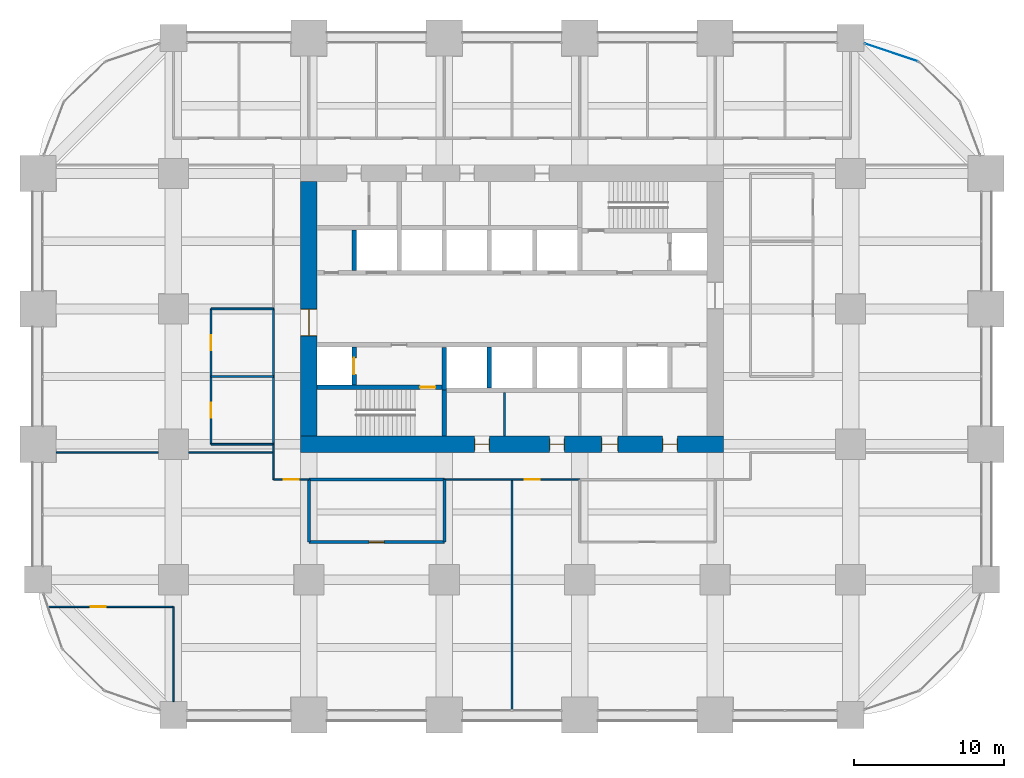
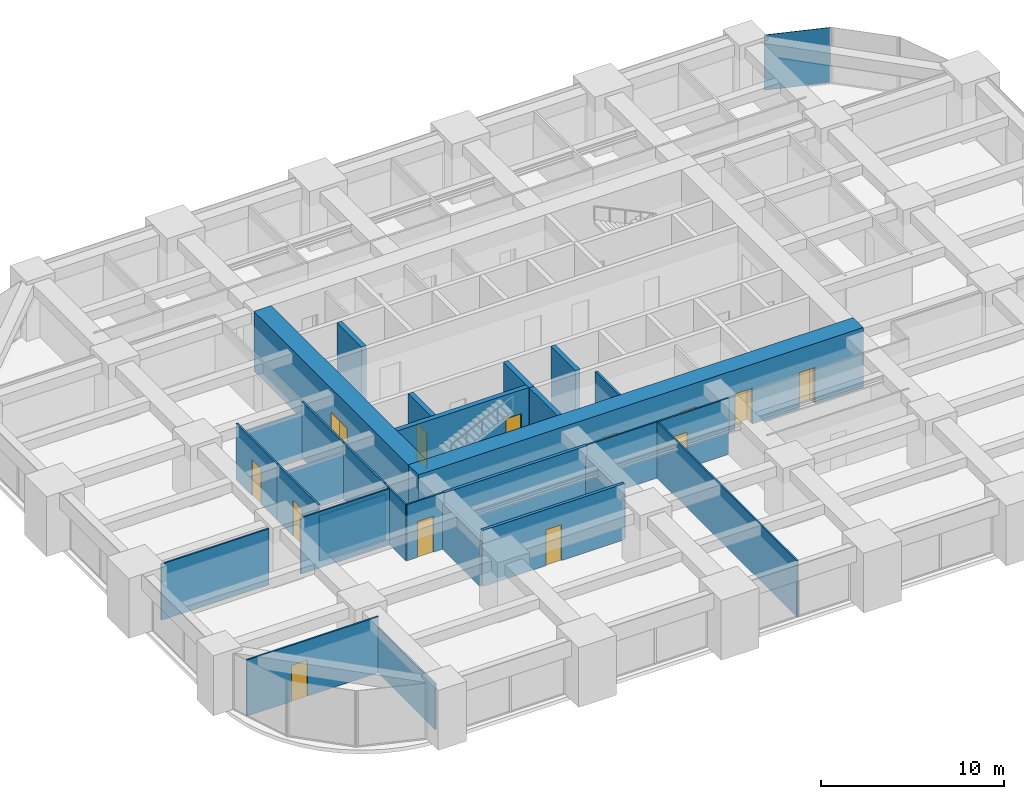
# One storey, part 36 of 40: 28 walls, 13 doors, 1 plate, 13 openings, 1 element without a shape of its own.
"""IFC4 building model written with IfcOpenShell, lengths in metres."""

from ifc_helpers import new_model, si_unit, direction, frame, frame_2d, origin, origin_2d, place, context, subcontext, project, spatial, rectangle, extrude, material, layer, layer_set, type_object, element, fill, aggregate, save


model = new_model("IFC4")

# Units and contexts
model_context = context("Model", 3, precision=1e-05, world=origin(), true_north=direction((0.0, 1.0)))
body_context = subcontext(model_context, "Body", "Model", "MODEL_VIEW")
ifc_project = project(units=[si_unit("LENGTHUNIT", "METRE"), si_unit("AREAUNIT", "SQUARE_METRE"), si_unit("VOLUMEUNIT", "CUBIC_METRE"), si_unit("PLANEANGLEUNIT", "RADIAN"), si_unit("MASSUNIT", "GRAM", prefix="KILO")], contexts=[model_context])

# Site, building, storey
site_placement = place(None, origin())
site = spatial("IfcSite", under=ifc_project, at=site_placement, CompositionType="ELEMENT")
building_placement = place(site_placement, origin())
building = spatial("IfcBuilding", under=site, at=building_placement, Name="Zorevar Civic Tower", CompositionType="ELEMENT")
storey_placement = place(building_placement, frame((0.0, 0.0, 93.0)))
storey = spatial("IfcBuildingStorey", under=building, at=storey_placement, Name="L22", CompositionType="ELEMENT", Elevation=93.0)

# Curtain wall, plate
ifc_material_1 = material(Name="Dark grey solar-control glass in black aluminium frame", Category="aluminium")
curtain_wall_type = type_object("IfcCurtainWallType", Name="Curtain wall CW3 mid zone", PredefinedType="NOTDEFINED", material=ifc_material_1)
curtain_wall_placement = place(storey_placement, origin())
curtain_wall = element("IfcCurtainWall", 1, at=curtain_wall_placement, inside=storey, type_object=curtain_wall_type, Name="CW3 L22", PredefinedType="NOTDEFINED")
ifc_material_2 = material(Name="Dark grey solar-control glass", Category="glass")
ifc_layer_1 = layer(ifc_material_2, 0.030029296875)
ifc_layer_set_1 = layer_set([ifc_layer_1], Name="CW3 panel 30")
plate_type = type_object("IfcPlateType", Name="CW3 panel 30", PredefinedType="CURTAIN_PANEL", material=ifc_layer_set_1)
plate_placement = place(storey_placement, frame((56.7109375, 44.04296875, 0.06005859375), z_axis=(0.0, 0.0, 1.0), x_axis=(-0.947615765406, 0.319412525043, 0.0)))
plate = element("IfcPlate", 2, at=plate_placement, type_object=plate_type, Name="CW3 panel 1.1", PredefinedType="CURTAIN_PANEL", context=body_context, shape_type="SweptSolid", body=[
    extrude(rectangle(XDim=3.7021484375, YDim=0.030029296875, at=origin_2d()), origin(), (0.0, 0.0, 1.0), 3.68994140625),
])
aggregate(curtain_wall, [plate])

# Wall, opening, door
ifc_material_3 = material(Name="Concrete blockwork", Category="masonry")
ifc_layer_2 = layer(ifc_material_3, 0.199951171875)
ifc_layer_set_2 = layer_set([ifc_layer_2], Name="Blockwork wall 200")
wall_type_1 = type_object("IfcWallType", Name="Blockwork wall 200", PredefinedType="SOLIDWALL", material=ifc_layer_set_2)
wall_1_placement = place(storey_placement, frame((18.0, 11.5, 0.0), z_axis=(0.0, 0.0, 1.0), x_axis=(1.0, 0.0, 0.0)))
wall_1 = element("IfcWall", 3, at=wall_1_placement, inside=storey, type_object=wall_type_1, Name="Blockwork wall 200 L22", PredefinedType="SOLIDWALL", context=body_context, shape_type="SweptSolid", body=[
    extrude(rectangle(XDim=9.0, YDim=0.199951171875, at=frame_2d((4.5, 0.0))), origin(), (0.0, 0.0, 1.0), 3.75),
])
opening_1_placement = place(wall_1_placement, frame((4.0, 0.0, 0.0)))
opening_1 = element("IfcOpeningElement", 4, at=opening_1_placement, cuts=wall_1, Name="Opening L22.18", PredefinedType="OPENING", context=body_context, shape_type="SweptSolid", body=[
    extrude(rectangle(XDim=1.0, YDim=2.39990234375, at=frame_2d((0.5, 1.199951171875))), frame((0.0, 0.10986328125, 0.0), z_axis=(0.0, -1.0, 0.0), x_axis=(1.0, 0.0, 0.0)), (0.0, 0.0, 1.0), 0.219970703125),
])
ifc_material_4 = material(Name="Steel door set", Category="steel")
door_type_1 = type_object("IfcDoorType", Name="Security door SD1 1000x2400", OperationType="SINGLE_SWING_LEFT", PredefinedType="DOOR", material=ifc_material_4)
door_1_placement = place(opening_1_placement, origin())
door_1 = element("IfcDoor", 5, at=door_1_placement, inside=storey, type_object=door_type_1, Name="Door L22 D1", OperationType="SINGLE_SWING_RIGHT", OverallHeight=2.39990234375, OverallWidth=1.0, PredefinedType="DOOR", context=body_context, shape_type="SweptSolid", body=[
    extrude(rectangle(XDim=1.0, YDim=2.39990234375, at=frame_2d((0.5, 1.199951171875))), frame((0.0, 0.03515625, 0.0), z_axis=(0.0, -1.0, 0.0), x_axis=(1.0, 0.0, 0.0)), (0.0, 0.0, 1.0), 0.070068359375),
])
fill(opening_1, door_1)

# Walls
wall_2_placement = place(storey_placement, frame((18.0, 15.64990234375, 0.0), z_axis=(0.0, 0.0, 1.0), x_axis=(1.0, 0.0, 0.0)))
element("IfcWall", 6, at=wall_2_placement, inside=storey, type_object=wall_type_1, Name="Blockwork wall 200 L22", PredefinedType="SOLIDWALL", context=body_context, shape_type="SweptSolid", body=[
    extrude(rectangle(XDim=9.0, YDim=0.199951171875, at=frame_2d((4.5, 0.0))), origin(), (0.0, 0.0, 1.0), 3.75),
])
for number, where, z_axis, x_axis, name in (
    (7, (18.0, 11.5, 0.0), (0.0, 0.0, 1.0), (0.0, 1.0, 0.0), "Blockwork wall 200 L22"),
    (8, (27.0, 11.5, 0.0), (0.0, 0.0, 1.0), (0.0, 1.0, 0.0), "Blockwork wall 200 L22"),
):
    element("IfcWall", number, at=place(storey_placement, frame(where, z_axis=z_axis, x_axis=x_axis)), inside=storey, type_object=wall_type_1, Name=name, PredefinedType="SOLIDWALL", context=body_context, shape_type="SweptSolid", body=[
        extrude(rectangle(XDim=4.14990234375, YDim=0.199951171875, at=frame_2d((2.074951171875, 0.0))), origin(), (0.0, 0.0, 1.0), 3.050048828125),
    ])

# Wall, openings, doors
ifc_material_5 = material(Name="Concrete C50/60", Category="concrete")
ifc_layer_3 = layer(ifc_material_5, 1.10009765625)
ifc_layer_set_3 = layer_set([ifc_layer_3], Name="Core wall 1100")
wall_type_2 = type_object("IfcWallType", Name="Core wall 1100", PredefinedType="SHEAR", material=ifc_layer_set_3)
wall_3_placement = place(storey_placement, frame((17.449951171875, 18.0, 0.0), z_axis=(0.0, 0.0, 1.0), x_axis=(1.0, 0.0, 0.0)))
wall_3 = element("IfcWall", 9, at=wall_3_placement, inside=storey, type_object=wall_type_2, Name="Core wall S L22", PredefinedType="SHEAR", context=body_context, shape_type="SweptSolid", body=[
    extrude(rectangle(XDim=28.10009765625, YDim=1.10009765625, at=frame_2d((14.050048828125, 0.0))), origin(), (0.0, 0.0, 1.0), 4.0),
])
opening_2_placement = place(wall_3_placement, frame((11.550048828125, 0.0, 0.0)))
opening_2 = element("IfcOpeningElement", 10, at=opening_2_placement, cuts=wall_3, Name="Opening L22.03", PredefinedType="OPENING", context=body_context, shape_type="SweptSolid", body=[
    extrude(rectangle(XDim=1.0, YDim=2.39990234375, at=frame_2d((0.5, 1.199951171875))), frame((0.0, 0.56005859375, 0.0), z_axis=(0.0, -1.0, 0.0), x_axis=(1.0, 0.0, 0.0)), (0.0, 0.0, 1.0), 1.1201171875),
])
opening_3_placement = place(wall_3_placement, frame((16.550048828125, 0.0, 0.0)))
opening_3 = element("IfcOpeningElement", 11, at=opening_3_placement, cuts=wall_3, Name="Opening L22.04", PredefinedType="OPENING", context=body_context, shape_type="SweptSolid", body=[
    extrude(rectangle(XDim=1.0, YDim=2.39990234375, at=frame_2d((0.5, 1.199951171875))), frame((0.0, 0.56005859375, 0.0), z_axis=(0.0, -1.0, 0.0), x_axis=(1.0, 0.0, 0.0)), (0.0, 0.0, 1.0), 1.1201171875),
])
opening_4_placement = place(wall_3_placement, frame((20.0, 0.0, 0.0)))
opening_4 = element("IfcOpeningElement", 12, at=opening_4_placement, cuts=wall_3, Name="Opening L22.05", PredefinedType="OPENING", context=body_context, shape_type="SweptSolid", body=[
    extrude(rectangle(XDim=1.10009765625, YDim=2.39990234375, at=frame_2d((0.550048828125, 1.199951171875))), frame((0.0, 0.56005859375, 0.0), z_axis=(0.0, -1.0, 0.0), x_axis=(1.0, 0.0, 0.0)), (0.0, 0.0, 1.0), 1.1201171875),
])
opening_5_placement = place(wall_3_placement, frame((24.050048828125, 0.0, 0.0)))
opening_5 = element("IfcOpeningElement", 13, at=opening_5_placement, cuts=wall_3, Name="Opening L22.06", PredefinedType="OPENING", context=body_context, shape_type="SweptSolid", body=[
    extrude(rectangle(XDim=1.0, YDim=2.39990234375, at=frame_2d((0.5, 1.199951171875))), frame((0.0, 0.56005859375, 0.0), z_axis=(0.0, -1.0, 0.0), x_axis=(1.0, 0.0, 0.0)), (0.0, 0.0, 1.0), 1.1201171875),
])
ifc_material_6 = material(Name="Timber door set", Category="wood")
door_type_2 = type_object("IfcDoorType", Name="Door D1 1000x2400", OperationType="SINGLE_SWING_LEFT", PredefinedType="DOOR", material=ifc_material_6)
door_2_placement = place(opening_2_placement, origin())
door_2 = element("IfcDoor", 14, at=door_2_placement, inside=storey, type_object=door_type_2, Name="Door L22 02", OperationType="SINGLE_SWING_RIGHT", OverallHeight=2.39990234375, OverallWidth=1.0, PredefinedType="DOOR", context=body_context, shape_type="SweptSolid", body=[
    extrude(rectangle(XDim=1.0, YDim=2.39990234375, at=frame_2d((0.5, 1.199951171875))), frame((0.0, 0.02490234375, 0.0), z_axis=(0.0, -1.0, 0.0), x_axis=(1.0, 0.0, 0.0)), (0.0, 0.0, 1.0), 0.050048828125),
    extrude(rectangle(XDim=0.04, YDim=2.39990234375, at=frame_2d((0.02001953125, 1.199951171875))), frame((0.0, 0.39990234375, 0.0), z_axis=(0.0, -1.0, 0.0), x_axis=(1.0, 0.0, 0.0)), (0.0, 0.0, 1.0), 0.800048828125),
    extrude(rectangle(XDim=0.04, YDim=2.39990234375, at=frame_2d((0.97998046875, 1.199951171875))), frame((0.0, 0.39990234375, 0.0), z_axis=(0.0, -1.0, 0.0), x_axis=(1.0, 0.0, 0.0)), (0.0, 0.0, 1.0), 0.800048828125),
    extrude(rectangle(XDim=1.0, YDim=0.04, at=frame_2d((0.5, 2.3798828125))), frame((0.0, 0.39990234375, 0.0), z_axis=(0.0, -1.0, 0.0), x_axis=(1.0, 0.0, 0.0)), (0.0, 0.0, 1.0), 0.800048828125),
])
fill(opening_2, door_2)
door_3_placement = place(opening_3_placement, origin())
door_3 = element("IfcDoor", 15, at=door_3_placement, inside=storey, type_object=door_type_2, Name="Door L22 03", OperationType="SINGLE_SWING_LEFT", OverallHeight=2.39990234375, OverallWidth=1.0, PredefinedType="DOOR", context=body_context, shape_type="SweptSolid", body=[
    extrude(rectangle(XDim=1.0, YDim=2.39990234375, at=frame_2d((0.5, 1.199951171875))), frame((0.0, 0.02490234375, 0.0), z_axis=(0.0, -1.0, 0.0), x_axis=(1.0, 0.0, 0.0)), (0.0, 0.0, 1.0), 0.050048828125),
    extrude(rectangle(XDim=0.04, YDim=2.39990234375, at=frame_2d((0.02001953125, 1.199951171875))), frame((0.0, 0.39990234375, 0.0), z_axis=(0.0, -1.0, 0.0), x_axis=(1.0, 0.0, 0.0)), (0.0, 0.0, 1.0), 0.800048828125),
    extrude(rectangle(XDim=0.04, YDim=2.39990234375, at=frame_2d((0.97998046875, 1.199951171875))), frame((0.0, 0.39990234375, 0.0), z_axis=(0.0, -1.0, 0.0), x_axis=(1.0, 0.0, 0.0)), (0.0, 0.0, 1.0), 0.800048828125),
    extrude(rectangle(XDim=1.0, YDim=0.04, at=frame_2d((0.5, 2.3798828125))), frame((0.0, 0.39990234375, 0.0), z_axis=(0.0, -1.0, 0.0), x_axis=(1.0, 0.0, 0.0)), (0.0, 0.0, 1.0), 0.800048828125),
])
fill(opening_3, door_3)
door_4_placement = place(opening_5_placement, origin())
door_4 = element("IfcDoor", 16, at=door_4_placement, inside=storey, type_object=door_type_2, Name="Door L22 05", OperationType="SINGLE_SWING_LEFT", OverallHeight=2.39990234375, OverallWidth=1.0, PredefinedType="DOOR", context=body_context, shape_type="SweptSolid", body=[
    extrude(rectangle(XDim=1.0, YDim=2.39990234375, at=frame_2d((0.5, 1.199951171875))), frame((0.0, 0.02490234375, 0.0), z_axis=(0.0, -1.0, 0.0), x_axis=(1.0, 0.0, 0.0)), (0.0, 0.0, 1.0), 0.050048828125),
    extrude(rectangle(XDim=0.04, YDim=2.39990234375, at=frame_2d((0.02001953125, 1.199951171875))), frame((0.0, 0.39990234375, 0.0), z_axis=(0.0, -1.0, 0.0), x_axis=(1.0, 0.0, 0.0)), (0.0, 0.0, 1.0), 0.800048828125),
    extrude(rectangle(XDim=0.04, YDim=2.39990234375, at=frame_2d((0.97998046875, 1.199951171875))), frame((0.0, 0.39990234375, 0.0), z_axis=(0.0, -1.0, 0.0), x_axis=(1.0, 0.0, 0.0)), (0.0, 0.0, 1.0), 0.800048828125),
    extrude(rectangle(XDim=1.0, YDim=0.04, at=frame_2d((0.5, 2.3798828125))), frame((0.0, 0.39990234375, 0.0), z_axis=(0.0, -1.0, 0.0), x_axis=(1.0, 0.0, 0.0)), (0.0, 0.0, 1.0), 0.800048828125),
])
fill(opening_5, door_4)
ifc_material_7 = material(Name="Timber door set", Category="wood")
door_type_3 = type_object("IfcDoorType", Name="Door D5 1100x2400", OperationType="SINGLE_SWING_LEFT", PredefinedType="DOOR", material=ifc_material_7)
door_5_placement = place(opening_4_placement, origin())
door_5 = element("IfcDoor", 17, at=door_5_placement, inside=storey, type_object=door_type_3, Name="Door L22 04", OperationType="SINGLE_SWING_LEFT", OverallHeight=2.39990234375, OverallWidth=1.10009765625, PredefinedType="DOOR", context=body_context, shape_type="SweptSolid", body=[
    extrude(rectangle(XDim=1.10009765625, YDim=2.39990234375, at=frame_2d((0.550048828125, 1.199951171875))), frame((0.0, 0.02490234375, 0.0), z_axis=(0.0, -1.0, 0.0), x_axis=(1.0, 0.0, 0.0)), (0.0, 0.0, 1.0), 0.050048828125),
    extrude(rectangle(XDim=0.04, YDim=2.39990234375, at=frame_2d((0.02001953125, 1.199951171875))), frame((0.0, 0.43994140625, 0.0), z_axis=(0.0, -1.0, 0.0), x_axis=(1.0, 0.0, 0.0)), (0.0, 0.0, 1.0), 0.880126953125),
    extrude(rectangle(XDim=0.04, YDim=2.39990234375, at=frame_2d((1.080078125, 1.199951171875))), frame((0.0, 0.43994140625, 0.0), z_axis=(0.0, -1.0, 0.0), x_axis=(1.0, 0.0, 0.0)), (0.0, 0.0, 1.0), 0.880126953125),
    extrude(rectangle(XDim=1.10009765625, YDim=0.04, at=frame_2d((0.550048828125, 2.3798828125))), frame((0.0, 0.43994140625, 0.0), z_axis=(0.0, -1.0, 0.0), x_axis=(1.0, 0.0, 0.0)), (0.0, 0.0, 1.0), 0.880126953125),
])
fill(opening_4, door_5)

# Wall, opening, door
wall_4_placement = place(storey_placement, frame((18.0, 35.449951171875, 0.0), z_axis=(0.0, 0.0, 1.0), x_axis=(0.0, -1.0, 0.0)))
wall_4 = element("IfcWall", 18, at=wall_4_placement, inside=storey, type_object=wall_type_2, Name="Core wall W L22", PredefinedType="SHEAR", context=body_context, shape_type="SweptSolid", body=[
    extrude(rectangle(XDim=16.89990234375, YDim=1.10009765625, at=frame_2d((8.449951171875, 0.0))), origin(), (0.0, 0.0, 1.0), 4.0),
])
opening_6_placement = place(wall_4_placement, frame((8.449951171875, 0.0, 0.0)))
opening_6 = element("IfcOpeningElement", 19, at=opening_6_placement, cuts=wall_4, Name="Opening L22.01", PredefinedType="OPENING", context=body_context, shape_type="SweptSolid", body=[
    extrude(rectangle(XDim=1.800048828125, YDim=2.39990234375, at=frame_2d((0.89990234375, 1.199951171875))), frame((0.0, 0.56005859375, 0.0), z_axis=(0.0, -1.0, 0.0), x_axis=(1.0, 0.0, 0.0)), (0.0, 0.0, 1.0), 1.1201171875),
])
ifc_material_8 = material(Name="Steel door set", Category="steel")
door_type_4 = type_object("IfcDoorType", Name="Fire door FD2 1800x2400", OperationType="DOUBLE_DOOR_DOUBLE_SWING", PredefinedType="DOOR", material=ifc_material_8)
door_6_placement = place(opening_6_placement, origin())
door_6 = element("IfcDoor", 20, at=door_6_placement, inside=storey, type_object=door_type_4, Name="Door L22 00", OperationType="DOUBLE_DOOR_DOUBLE_SWING", OverallHeight=2.39990234375, OverallWidth=1.800048828125, PredefinedType="DOOR", context=body_context, shape_type="SweptSolid", body=[
    extrude(rectangle(XDim=1.800048828125, YDim=2.39990234375, at=frame_2d((0.89990234375, 1.199951171875))), frame((0.0, 0.030029296875, 0.0), z_axis=(0.0, -1.0, 0.0), x_axis=(1.0, 0.0, 0.0)), (0.0, 0.0, 1.0), 0.06005859375),
    extrude(rectangle(XDim=0.04, YDim=2.39990234375, at=frame_2d((0.02001953125, 1.199951171875))), frame((0.0, 0.5498046875, 0.0), z_axis=(0.0, -1.0, 0.0), x_axis=(1.0, 0.0, 0.0)), (0.0, 0.0, 1.0), 1.099609375),
    extrude(rectangle(XDim=0.04, YDim=2.39990234375, at=frame_2d((1.780029296875, 1.199951171875))), frame((0.0, 0.5498046875, 0.0), z_axis=(0.0, -1.0, 0.0), x_axis=(1.0, 0.0, 0.0)), (0.0, 0.0, 1.0), 1.099609375),
    extrude(rectangle(XDim=1.800048828125, YDim=0.04, at=frame_2d((0.89990234375, 2.3798828125))), frame((0.0, 0.5498046875, 0.0), z_axis=(0.0, -1.0, 0.0), x_axis=(1.0, 0.0, 0.0)), (0.0, 0.0, 1.0), 1.099609375),
])
fill(opening_6, door_6)

ifc_material_9 = material(Name="Laminated glass in black aluminium frame", Category="aluminium")
ifc_layer_4 = layer(ifc_material_9, 0.10009765625)
ifc_layer_set_4 = layer_set([ifc_layer_4], Name="Glazed partition 100")
wall_type_3 = type_object("IfcWallType", Name="Glazed partition 100", PredefinedType="PARTITIONING", material=ifc_layer_set_4)
wall_5_placement = place(storey_placement, frame((0.68994140625, 7.199951171875, 0.0), z_axis=(0.0, 0.0, 1.0), x_axis=(1.0, 0.0, 0.0)))
wall_5 = element("IfcWall", 21, at=wall_5_placement, inside=storey, type_object=wall_type_3, Name="Glazed partition 100 L22", PredefinedType="PARTITIONING", context=body_context, shape_type="SweptSolid", body=[
    extrude(rectangle(XDim=8.31005859375, YDim=0.10009765625, at=frame_2d((4.155029296875, 0.0))), origin(), (0.0, 0.0, 1.0), 3.75),
])
opening_7_placement = place(wall_5_placement, frame((2.81005859375, 0.0, 0.0)))
opening_7 = element("IfcOpeningElement", 22, at=opening_7_placement, cuts=wall_5, Name="Opening L22.17", PredefinedType="OPENING", context=body_context, shape_type="SweptSolid", body=[
    extrude(rectangle(XDim=1.0, YDim=2.39990234375, at=frame_2d((0.5, 1.199951171875))), frame((0.0, 0.06005859375, 0.0), z_axis=(0.0, -1.0, 0.0), x_axis=(1.0, 0.0, 0.0)), (0.0, 0.0, 1.0), 0.1201171875),
])
ifc_material_10 = material(Name="Timber door set", Category="wood")
door_type_5 = type_object("IfcDoorType", Name="Glazed door GD1 1000x2400", OperationType="SINGLE_SWING_LEFT", PredefinedType="DOOR", material=ifc_material_10)
door_7_placement = place(opening_7_placement, origin())
door_7 = element("IfcDoor", 23, at=door_7_placement, inside=storey, type_object=door_type_5, Name="Door L22 D1", OperationType="SINGLE_SWING_RIGHT", OverallHeight=2.39990234375, OverallWidth=1.0, PredefinedType="DOOR", context=body_context, shape_type="SweptSolid", body=[
    extrude(rectangle(XDim=1.0, YDim=2.39990234375, at=frame_2d((0.5, 1.199951171875))), frame((0.0, 0.02001953125, 0.0), z_axis=(0.0, -1.0, 0.0), x_axis=(1.0, 0.0, 0.0)), (0.0, 0.0, 1.0), 0.0400390625),
])
fill(opening_7, door_7)

wall_6_placement = place(storey_placement, frame((15.64990234375, 15.64990234375, 0.0), z_axis=(0.0, 0.0, 1.0), x_axis=(1.0, 0.0, 0.0)))
wall_6 = element("IfcWall", 24, at=wall_6_placement, inside=storey, type_object=wall_type_3, Name="Glazed partition 100 L22", PredefinedType="PARTITIONING", context=body_context, shape_type="SweptSolid", body=[
    extrude(rectangle(XDim=2.35009765625, YDim=0.10009765625, at=frame_2d((1.175048828125, 0.0))), origin(), (0.0, 0.0, 1.0), 3.75),
])
opening_8_placement = place(wall_6_placement, frame((0.675048828125, 0.0, 0.0)))
opening_8 = element("IfcOpeningElement", 25, at=opening_8_placement, cuts=wall_6, Name="Opening L22.20", PredefinedType="OPENING", context=body_context, shape_type="SweptSolid", body=[
    extrude(rectangle(XDim=1.0, YDim=2.39990234375, at=frame_2d((0.5, 1.199951171875))), frame((0.0, 0.06005859375, 0.0), z_axis=(0.0, -1.0, 0.0), x_axis=(1.0, 0.0, 0.0)), (0.0, 0.0, 1.0), 0.1201171875),
])
door_8_placement = place(opening_8_placement, origin())
door_8 = element("IfcDoor", 26, at=door_8_placement, inside=storey, type_object=door_type_5, Name="Door L22 D1", OperationType="SINGLE_SWING_RIGHT", OverallHeight=2.39990234375, OverallWidth=1.0, PredefinedType="DOOR", context=body_context, shape_type="SweptSolid", body=[
    extrude(rectangle(XDim=1.0, YDim=2.39990234375, at=frame_2d((0.5, 1.199951171875))), frame((0.0, 0.02001953125, 0.0), z_axis=(0.0, -1.0, 0.0), x_axis=(1.0, 0.0, 0.0)), (0.0, 0.0, 1.0), 0.0400390625),
])
fill(opening_8, door_8)

wall_7_placement = place(storey_placement, frame((27.0, 15.64990234375, 0.0), z_axis=(0.0, 0.0, 1.0), x_axis=(1.0, 0.0, 0.0)))
wall_7 = element("IfcWall", 27, at=wall_7_placement, inside=storey, type_object=wall_type_3, Name="Glazed partition 100 L22", PredefinedType="PARTITIONING", context=body_context, shape_type="SweptSolid", body=[
    extrude(rectangle(XDim=9.0, YDim=0.10009765625, at=frame_2d((4.5, 0.0))), origin(), (0.0, 0.0, 1.0), 3.75),
])
opening_9_placement = place(wall_7_placement, frame((5.35009765625, 0.0, 0.0)))
opening_9 = element("IfcOpeningElement", 28, at=opening_9_placement, cuts=wall_7, Name="Opening L22.21", PredefinedType="OPENING", context=body_context, shape_type="SweptSolid", body=[
    extrude(rectangle(XDim=1.0, YDim=2.39990234375, at=frame_2d((0.5, 1.199951171875))), frame((0.0, 0.06005859375, 0.0), z_axis=(0.0, -1.0, 0.0), x_axis=(1.0, 0.0, 0.0)), (0.0, 0.0, 1.0), 0.1201171875),
])
door_9_placement = place(opening_9_placement, origin())
door_9 = element("IfcDoor", 29, at=door_9_placement, inside=storey, type_object=door_type_5, Name="Door L22 D1", OperationType="SINGLE_SWING_RIGHT", OverallHeight=2.39990234375, OverallWidth=1.0, PredefinedType="DOOR", context=body_context, shape_type="SweptSolid", body=[
    extrude(rectangle(XDim=1.0, YDim=2.39990234375, at=frame_2d((0.5, 1.199951171875))), frame((0.0, 0.02001953125, 0.0), z_axis=(0.0, -1.0, 0.0), x_axis=(1.0, 0.0, 0.0)), (0.0, 0.0, 1.0), 0.0400390625),
])
fill(opening_9, door_9)

# Walls
wall_8_placement = place(storey_placement, frame((1.199951171875, 17.449951171875, 0.0), z_axis=(0.0, 0.0, 1.0), x_axis=(1.0, 0.0, 0.0)))
element("IfcWall", 30, at=wall_8_placement, inside=storey, type_object=wall_type_3, Name="Glazed partition 100 L22", PredefinedType="PARTITIONING", context=body_context, shape_type="SweptSolid", body=[
    extrude(rectangle(XDim=6.800048828125, YDim=0.10009765625, at=frame_2d((3.39990234375, 0.0))), origin(), (0.0, 0.0, 1.0), 3.75),
])
wall_9_placement = place(storey_placement, frame((10.0, 17.449951171875, 0.0), z_axis=(0.0, 0.0, 1.0), x_axis=(1.0, 0.0, 0.0)))
element("IfcWall", 31, at=wall_9_placement, inside=storey, type_object=wall_type_3, Name="Glazed partition 100 L22", PredefinedType="PARTITIONING", context=body_context, shape_type="SweptSolid", body=[
    extrude(rectangle(XDim=5.64990234375, YDim=0.10009765625, at=frame_2d((2.824951171875, 0.0))), origin(), (0.0, 0.0, 1.0), 3.75),
])
wall_10_placement = place(storey_placement, frame((9.0, 0.89990234375, 0.0), z_axis=(0.0, 0.0, 1.0), x_axis=(0.0, 1.0, 0.0)))
element("IfcWall", 32, at=wall_10_placement, inside=storey, type_object=wall_type_3, Name="Glazed partition 100 L22", PredefinedType="PARTITIONING", context=body_context, shape_type="SweptSolid", body=[
    extrude(rectangle(XDim=6.300048828125, YDim=0.10009765625, at=frame_2d((3.14990234375, 0.0))), origin(), (0.0, 0.0, 1.0), 3.050048828125),
])
wall_11_placement = place(storey_placement, frame((15.64990234375, 15.64990234375, 0.0), z_axis=(0.0, 0.0, 1.0), x_axis=(0.0, 1.0, 0.0)))
element("IfcWall", 33, at=wall_11_placement, inside=storey, type_object=wall_type_3, Name="Glazed partition 100 L22", PredefinedType="PARTITIONING", context=body_context, shape_type="SweptSolid", body=[
    extrude(rectangle(XDim=2.35009765625, YDim=0.10009765625, at=frame_2d((1.175048828125, 0.0))), origin(), (0.0, 0.0, 1.0), 3.75),
])
wall_12_placement = place(storey_placement, frame((31.5, 0.31005859375, 0.0), z_axis=(0.0, 0.0, 1.0), x_axis=(0.0, 1.0, 0.0)))
element("IfcWall", 34, at=wall_12_placement, inside=storey, type_object=wall_type_3, Name="Glazed partition 100 L22", PredefinedType="PARTITIONING", context=body_context, shape_type="SweptSolid", body=[
    extrude(rectangle(XDim=15.33984375, YDim=0.10009765625, at=frame_2d((7.669921875, 0.0))), origin(), (0.0, 0.0, 1.0), 3.75),
])

# Wall, opening, door
ifc_material_11 = material(Name="Concrete C40/50", Category="concrete")
ifc_layer_5 = layer(ifc_material_11, 0.300048828125)
ifc_layer_set_5 = layer_set([ifc_layer_5], Name="Inner core wall 300")
wall_type_4 = type_object("IfcWallType", Name="Inner core wall 300", PredefinedType="SHEAR", material=ifc_layer_set_5)
wall_13_placement = place(storey_placement, frame((18.550048828125, 21.800048828125, 0.0), z_axis=(0.0, 0.0, 1.0), x_axis=(1.0, 0.0, 0.0)))
wall_13 = element("IfcWall", 35, at=wall_13_placement, inside=storey, type_object=wall_type_4, Name="Inner core wall S00 L22", PredefinedType="SHEAR", context=body_context, shape_type="SweptSolid", body=[
    extrude(rectangle(XDim=8.300048828125, YDim=0.300048828125, at=frame_2d((4.14990234375, 0.0))), origin(), (0.0, 0.0, 1.0), 4.0),
])
opening_10_placement = place(wall_13_placement, frame((6.85009765625, 0.0, 0.0)))
opening_10 = element("IfcOpeningElement", 36, at=opening_10_placement, cuts=wall_13, Name="Opening L22.11", PredefinedType="OPENING", context=body_context, shape_type="SweptSolid", body=[
    extrude(rectangle(XDim=1.0, YDim=2.39990234375, at=frame_2d((0.5, 1.199951171875))), frame((0.0, 0.159912109375, 0.0), z_axis=(0.0, -1.0, 0.0), x_axis=(1.0, 0.0, 0.0)), (0.0, 0.0, 1.0), 0.320068359375),
])
ifc_material_12 = material(Name="Steel door set", Category="steel")
door_type_6 = type_object("IfcDoorType", Name="Fire door FD1 1000x2400", OperationType="SINGLE_SWING_LEFT", PredefinedType="DOOR", material=ifc_material_12)
door_10_placement = place(opening_10_placement, origin())
door_10 = element("IfcDoor", 37, at=door_10_placement, inside=storey, type_object=door_type_6, Name="Door L22 10", OperationType="SINGLE_SWING_RIGHT", OverallHeight=2.39990234375, OverallWidth=1.0, PredefinedType="DOOR", context=body_context, shape_type="SweptSolid", body=[
    extrude(rectangle(XDim=1.0, YDim=2.39990234375, at=frame_2d((0.5, 1.199951171875))), frame((0.0, 0.030029296875, 0.0), z_axis=(0.0, -1.0, 0.0), x_axis=(1.0, 0.0, 0.0)), (0.0, 0.0, 1.0), 0.06005859375),
])
fill(opening_10, door_10)

# Wall
wall_14_placement = place(storey_placement, frame((27.0, 18.550048828125, 0.0), z_axis=(0.0, 0.0, 1.0), x_axis=(0.0, 1.0, 0.0)))
element("IfcWall", 38, at=wall_14_placement, inside=storey, type_object=wall_type_4, Name="Inner core wall S01 L22", PredefinedType="SHEAR", context=body_context, shape_type="SweptSolid", body=[
    extrude(rectangle(XDim=3.050048828125, YDim=0.300048828125, at=frame_2d((1.52490234375, 0.0))), origin(), (0.0, 0.0, 1.0), 4.0),
])

# Wall, opening, door
wall_15_placement = place(storey_placement, frame((21.0, 21.949951171875, 0.0), z_axis=(0.0, 0.0, 1.0), x_axis=(0.0, 1.0, 0.0)))
wall_15 = element("IfcWall", 39, at=wall_15_placement, inside=storey, type_object=wall_type_4, Name="Inner core wall S02 L22", PredefinedType="SHEAR", context=body_context, shape_type="SweptSolid", body=[
    extrude(rectangle(XDim=2.5, YDim=0.300048828125, at=frame_2d((1.25, 0.0))), origin(), (0.0, 0.0, 1.0), 4.0),
])
opening_11_placement = place(wall_15_placement, frame((0.699951171875, 0.0, 0.0)))
opening_11 = element("IfcOpeningElement", 40, at=opening_11_placement, cuts=wall_15, Name="Opening L22.FL1", PredefinedType="OPENING", context=body_context, shape_type="SweptSolid", body=[
    extrude(rectangle(XDim=1.10009765625, YDim=2.39990234375, at=frame_2d((0.550048828125, 1.199951171875))), frame((0.0, 0.159912109375, 0.0), z_axis=(0.0, -1.0, 0.0), x_axis=(1.0, 0.0, 0.0)), (0.0, 0.0, 1.0), 0.320068359375),
])
ifc_material_13 = material(Name="Steel door set", Category="steel")
door_type_7 = type_object("IfcDoorType", Name="Firefighting lift landing door LD3 1100x2400", OperationType="DOUBLE_DOOR_SLIDING", PredefinedType="DOOR", material=ifc_material_13)
door_11_placement = place(opening_11_placement, origin())
door_11 = element("IfcDoor", 41, at=door_11_placement, inside=storey, type_object=door_type_7, Name="Landing door FL1 L22", OperationType="DOUBLE_DOOR_SLIDING", OverallHeight=2.39990234375, OverallWidth=1.10009765625, PredefinedType="DOOR", context=body_context, shape_type="SweptSolid", body=[
    extrude(rectangle(XDim=1.10009765625, YDim=2.39990234375, at=frame_2d((0.550048828125, 1.199951171875))), frame((0.0, 0.030029296875, 0.0), z_axis=(0.0, -1.0, 0.0), x_axis=(1.0, 0.0, 0.0)), (0.0, 0.0, 1.0), 0.06005859375),
])
fill(opening_11, door_11)

# Walls
for number, where, z_axis, x_axis, name in (
    (42, (30.0, 21.75, 0.0), (0.0, 0.0, 1.0), (0.0, 1.0, 0.0), "Inner core wall S05 L22"),
    (43, (21.0, 29.550048828125, 0.0), (0.0, 0.0, 1.0), (0.0, 1.0, 0.0), "Inner core wall N09 L22"),
):
    element("IfcWall", number, at=place(storey_placement, frame(where, z_axis=z_axis, x_axis=x_axis)), inside=storey, type_object=wall_type_4, Name=name, PredefinedType="SHEAR", context=body_context, shape_type="SweptSolid", body=[
        extrude(rectangle(XDim=2.699951171875, YDim=0.300048828125, at=frame_2d((1.35009765625, 0.0))), origin(), (0.0, 0.0, 1.0), 4.0),
    ])
wall_16_placement = place(storey_placement, frame((27.0, 21.60009765625, 0.0), z_axis=(0.0, 0.0, 1.0), x_axis=(0.0, 1.0, 0.0)))
element("IfcWall", 44, at=wall_16_placement, inside=storey, type_object=wall_type_4, Name="Inner core wall S10 L22", PredefinedType="SHEAR", context=body_context, shape_type="SweptSolid", body=[
    extrude(rectangle(XDim=2.849853515625, YDim=0.300048828125, at=frame_2d((1.4248046875, 0.0))), origin(), (0.0, 0.0, 1.0), 4.0),
])
ifc_material_14 = material(Name="Gypsum board on steel studs", Category="steel")
ifc_layer_6 = layer(ifc_material_14, 0.1201171875)
ifc_layer_set_6 = layer_set([ifc_layer_6], Name="Partition 120")
wall_type_5 = type_object("IfcWallType", Name="Partition 120", PredefinedType="PARTITIONING", material=ifc_layer_set_6)
wall_17_placement = place(storey_placement, frame((11.5, 18.0, 0.0), z_axis=(0.0, 0.0, 1.0), x_axis=(1.0, 0.0, 0.0)))
element("IfcWall", 45, at=wall_17_placement, inside=storey, type_object=wall_type_5, Name="Partition 120 L22", PredefinedType="PARTITIONING", context=body_context, shape_type="SweptSolid", body=[
    extrude(rectangle(XDim=4.14990234375, YDim=0.1201171875, at=frame_2d((2.074951171875, 0.0))), origin(), (0.0, 0.0, 1.0), 3.050048828125),
])
wall_18_placement = place(storey_placement, frame((11.5, 22.5, 0.0), z_axis=(0.0, 0.0, 1.0), x_axis=(1.0, 0.0, 0.0)))
element("IfcWall", 46, at=wall_18_placement, inside=storey, type_object=wall_type_5, Name="Partition 120 L22", PredefinedType="PARTITIONING", context=body_context, shape_type="SweptSolid", body=[
    extrude(rectangle(XDim=4.14990234375, YDim=0.1201171875, at=frame_2d((2.074951171875, 0.0))), origin(), (0.0, 0.0, 1.0), 3.10009765625),
])
wall_19_placement = place(storey_placement, frame((11.5, 27.0, 0.0), z_axis=(0.0, 0.0, 1.0), x_axis=(1.0, 0.0, 0.0)))
element("IfcWall", 47, at=wall_19_placement, inside=storey, type_object=wall_type_5, Name="Partition 120 L22", PredefinedType="PARTITIONING", context=body_context, shape_type="SweptSolid", body=[
    extrude(rectangle(XDim=4.14990234375, YDim=0.1201171875, at=frame_2d((2.074951171875, 0.0))), origin(), (0.0, 0.0, 1.0), 3.050048828125),
])

# Wall, opening, door
wall_20_placement = place(storey_placement, frame((11.5, 18.0, 0.0), z_axis=(0.0, 0.0, 1.0), x_axis=(0.0, 1.0, 0.0)))
wall_20 = element("IfcWall", 48, at=wall_20_placement, inside=storey, type_object=wall_type_5, Name="Partition 120 L22", PredefinedType="PARTITIONING", context=body_context, shape_type="SweptSolid", body=[
    extrude(rectangle(XDim=4.5, YDim=0.1201171875, at=frame_2d((2.25, 0.0))), origin(), (0.0, 0.0, 1.0), 3.75),
])
opening_12_placement = place(wall_20_placement, frame((1.75, 0.0, 0.0)))
opening_12 = element("IfcOpeningElement", 49, at=opening_12_placement, cuts=wall_20, Name="Opening L22.32", PredefinedType="OPENING", context=body_context, shape_type="SweptSolid", body=[
    extrude(rectangle(XDim=1.0, YDim=2.39990234375, at=frame_2d((0.5, 1.199951171875))), frame((0.0, 0.070068359375, 0.0), z_axis=(0.0, -1.0, 0.0), x_axis=(1.0, 0.0, 0.0)), (0.0, 0.0, 1.0), 0.14013671875),
])
door_12_placement = place(opening_12_placement, origin())
door_12 = element("IfcDoor", 50, at=door_12_placement, inside=storey, type_object=door_type_2, Name="Door L22 D1", OperationType="SINGLE_SWING_RIGHT", OverallHeight=2.39990234375, OverallWidth=1.0, PredefinedType="DOOR", context=body_context, shape_type="SweptSolid", body=[
    extrude(rectangle(XDim=1.0, YDim=2.39990234375, at=frame_2d((0.5, 1.199951171875))), frame((0.0, 0.02490234375, 0.0), z_axis=(0.0, -1.0, 0.0), x_axis=(1.0, 0.0, 0.0)), (0.0, 0.0, 1.0), 0.050048828125),
])
fill(opening_12, door_12)

wall_21_placement = place(storey_placement, frame((11.5, 22.5, 0.0), z_axis=(0.0, 0.0, 1.0), x_axis=(0.0, 1.0, 0.0)))
wall_21 = element("IfcWall", 51, at=wall_21_placement, inside=storey, type_object=wall_type_5, Name="Partition 120 L22", PredefinedType="PARTITIONING", context=body_context, shape_type="SweptSolid", body=[
    extrude(rectangle(XDim=4.5, YDim=0.1201171875, at=frame_2d((2.25, 0.0))), origin(), (0.0, 0.0, 1.0), 3.75),
])
opening_13_placement = place(wall_21_placement, frame((1.75, 0.0, 0.0)))
opening_13 = element("IfcOpeningElement", 52, at=opening_13_placement, cuts=wall_21, Name="Opening L22.33", PredefinedType="OPENING", context=body_context, shape_type="SweptSolid", body=[
    extrude(rectangle(XDim=1.0, YDim=2.39990234375, at=frame_2d((0.5, 1.199951171875))), frame((0.0, 0.070068359375, 0.0), z_axis=(0.0, -1.0, 0.0), x_axis=(1.0, 0.0, 0.0)), (0.0, 0.0, 1.0), 0.14013671875),
])
door_13_placement = place(opening_13_placement, origin())
door_13 = element("IfcDoor", 53, at=door_13_placement, inside=storey, type_object=door_type_2, Name="Door L22 D1", OperationType="SINGLE_SWING_RIGHT", OverallHeight=2.39990234375, OverallWidth=1.0, PredefinedType="DOOR", context=body_context, shape_type="SweptSolid", body=[
    extrude(rectangle(XDim=1.0, YDim=2.39990234375, at=frame_2d((0.5, 1.199951171875))), frame((0.0, 0.02490234375, 0.0), z_axis=(0.0, -1.0, 0.0), x_axis=(1.0, 0.0, 0.0)), (0.0, 0.0, 1.0), 0.050048828125),
])
fill(opening_13, door_13)

# Walls
for number, where, z_axis, x_axis, name in (
    (54, (15.64990234375, 18.0, 0.0), (0.0, 0.0, 1.0), (0.0, 1.0, 0.0), "Partition 120 L22"),
    (55, (15.64990234375, 22.5, 0.0), (0.0, 0.0, 1.0), (0.0, 1.0, 0.0), "Partition 120 L22"),
):
    element("IfcWall", number, at=place(storey_placement, frame(where, z_axis=z_axis, x_axis=x_axis)), inside=storey, type_object=wall_type_5, Name=name, PredefinedType="PARTITIONING", context=body_context, shape_type="SweptSolid", body=[
        extrude(rectangle(XDim=4.5, YDim=0.1201171875, at=frame_2d((2.25, 0.0))), origin(), (0.0, 0.0, 1.0), 3.75),
    ])
ifc_material_15 = material(Name="Gypsum board on steel studs, moisture resistant", Category="steel")
ifc_layer_7 = layer(ifc_material_15, 0.14990234375)
ifc_layer_set_7 = layer_set([ifc_layer_7], Name="WC partition 150")
wall_type_6 = type_object("IfcWallType", Name="WC partition 150", PredefinedType="PARTITIONING", material=ifc_layer_set_7)
wall_22_placement = place(storey_placement, frame((31.0, 18.550048828125, 0.0), z_axis=(0.0, 0.0, 1.0), x_axis=(0.0, 1.0, 0.0)))
element("IfcWall", 56, at=wall_22_placement, inside=storey, type_object=wall_type_6, Name="WC partition L22", PredefinedType="PARTITIONING", context=body_context, shape_type="SweptSolid", body=[
    extrude(rectangle(XDim=2.89990234375, YDim=0.14990234375, at=frame_2d((1.449951171875, 0.0))), origin(), (0.0, 0.0, 1.0), 3.75),
])

save(model, "model.ifc")
